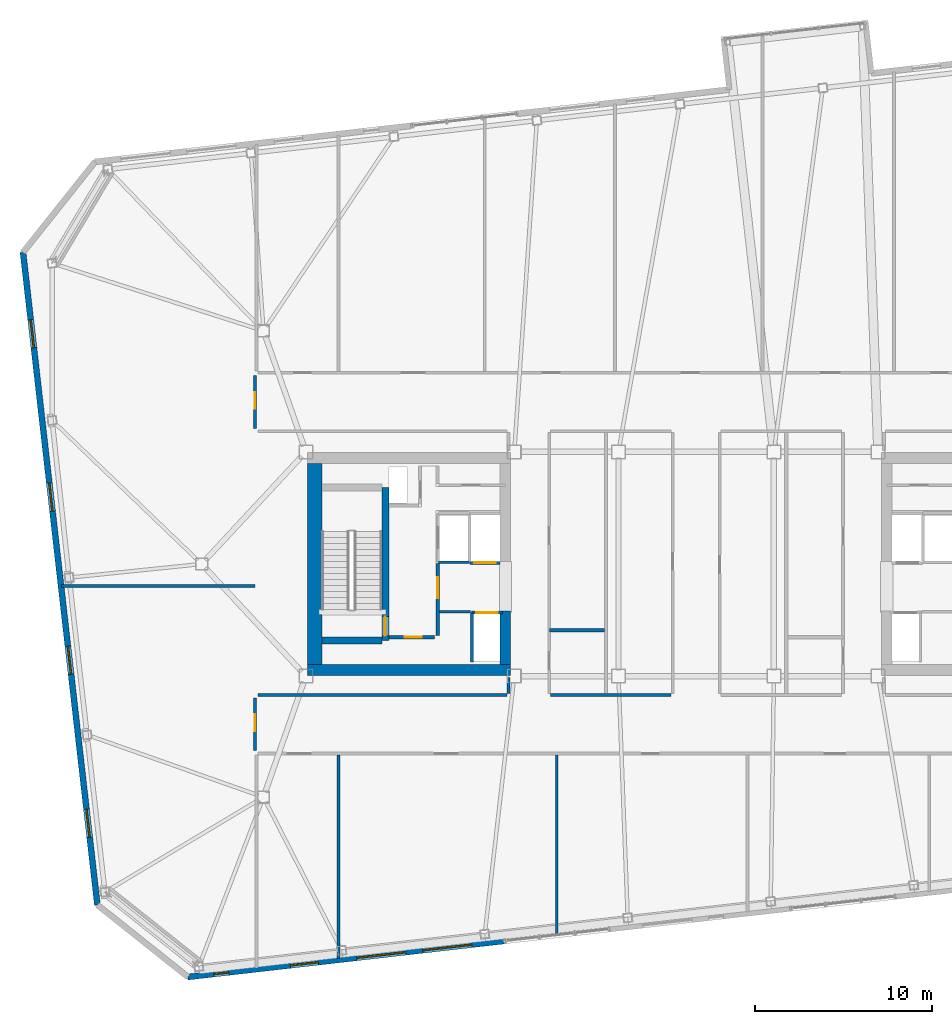
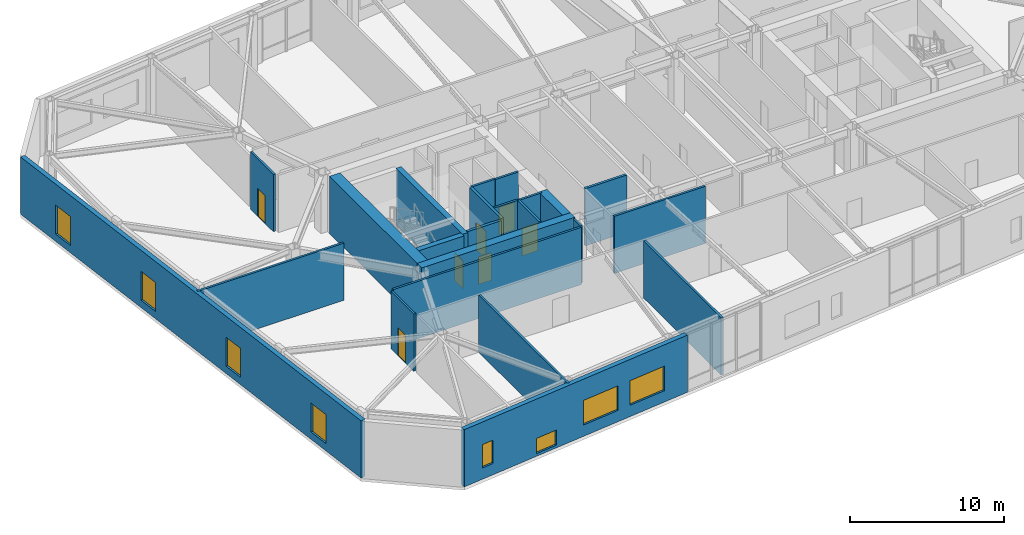
# One storey, part 14 of 21: 23 walls, 8 windows, 7 doors, 15 openings.
"""IFC4 building model written with IfcOpenShell, lengths in metres."""

from ifc_helpers import new_model, si_unit, direction, frame, frame_2d, origin, place, context, subcontext, project, spatial, rectangle, extrude, material, layer, layer_set, type_object, element, fill, save


model = new_model("IFC4")

# Units and contexts
model_context = context("Model", 3, precision=1e-05, world=origin(), true_north=direction((0.0, 1.0)))
body_context = subcontext(model_context, "Body", "Model", "MODEL_VIEW")
ifc_project = project(units=[si_unit("LENGTHUNIT", "METRE"), si_unit("AREAUNIT", "SQUARE_METRE"), si_unit("VOLUMEUNIT", "CUBIC_METRE"), si_unit("PLANEANGLEUNIT", "RADIAN"), si_unit("MASSUNIT", "GRAM", prefix="KILO")], contexts=[model_context])

# Site, building, storey
site_placement = place(None, origin())
site = spatial("IfcSite", under=ifc_project, at=site_placement, CompositionType="ELEMENT")
building_placement = place(site_placement, origin())
building = spatial("IfcBuilding", under=site, at=building_placement, Name="Tavrogorsk Clinical Tower", CompositionType="ELEMENT")
storey_placement = place(building_placement, frame((0.0, 0.0, 238.199951171875)))
storey = spatial("IfcBuildingStorey", under=building, at=storey_placement, Name="L55", CompositionType="ELEMENT", Elevation=238.199951171875)

# Wall, opening, door
ifc_material_1 = material(Name="Concrete B60", Category="concrete")
ifc_layer_1 = layer(ifc_material_1, 0.199951171875)
ifc_layer_set_1 = layer_set([ifc_layer_1], Name="Concrete B60")
wall_type_1 = type_object("IfcWallType", Name="CoreFireWall_200", PredefinedType="SOLIDWALL", material=ifc_layer_set_1)
wall_1_placement = place(storey_placement, frame((-17.3798828125, -4.139892578125, 0.0), z_axis=(0.0, 0.0, 1.0), x_axis=(1.0, 0.0, 0.0)))
wall_1 = element("IfcWall", 1, at=wall_1_placement, inside=storey, type_object=wall_type_1, Name="L55 Core West South Core Room Fire Wall", PredefinedType="SOLIDWALL", context=body_context, shape_type="SweptSolid", body=[
    extrude(rectangle(XDim=2.554931640625, YDim=0.199951171875, at=frame_2d((1.27734375, 0.0))), origin(), (0.0, 0.0, 1.0), 4.5400390625),
])
opening_1_placement = place(wall_1_placement, frame((0.8798828125, 0.0, 0.0)))
opening_1 = element("IfcOpeningElement", 2, at=opening_1_placement, cuts=wall_1, Name="Opening ID-02", PredefinedType="OPENING", context=body_context, shape_type="SweptSolid", body=[
    extrude(rectangle(XDim=0.949951171875, YDim=2.199951171875, at=frame_2d((0.47509765625, 1.10009765625))), frame((0.0, 0.10986328125, 0.0), z_axis=(0.0, -1.0, 0.0), x_axis=(1.0, 0.0, 0.0)), (0.0, 0.0, 1.0), 0.219970703125),
])
ifc_material_2 = material(Name="Laminated timber leaf on aluminium frame", Category="wood")
door_type_1 = type_object("IfcDoorType", Name="InteriorDoor_ID02_950", OperationType="NOTDEFINED", PredefinedType="DOOR", material=ifc_material_2)
door_1_placement = place(opening_1_placement, origin())
door_1 = element("IfcDoor", 3, at=door_1_placement, inside=storey, type_object=door_type_1, Name="L55 Core West South Core Room Door", OperationType="SINGLE_SWING_RIGHT", OverallHeight=2.199951171875, OverallWidth=0.949951171875, PredefinedType="DOOR", context=body_context, shape_type="SweptSolid", body=[
    extrude(rectangle(XDim=0.949951171875, YDim=2.199951171875, at=frame_2d((0.47509765625, 1.10009765625))), frame((0.0, 0.02490234375, 0.0), z_axis=(0.0, -1.0, 0.0), x_axis=(1.0, 0.0, 0.0)), (0.0, 0.0, 1.0), 0.050048828125),
])
fill(opening_1, door_1)

wall_2_placement = place(storey_placement, frame((-14.639892578125, -4.034912109375, 0.0), z_axis=(0.0, 0.0, 1.0), x_axis=(0.0, 1.0, 0.0)))
wall_2 = element("IfcWall", 4, at=wall_2_placement, inside=storey, type_object=wall_type_1, Name="L55 Core West Firefighting Lobby Fire Wall", PredefinedType="SOLIDWALL", context=body_context, shape_type="SweptSolid", body=[
    extrude(rectangle(XDim=4.074951171875, YDim=0.199951171875, at=frame_2d((2.03759765625, 0.0))), origin(), (0.0, 0.0, 1.0), 4.5400390625),
])
opening_2_placement = place(wall_2_placement, frame((2.090087890625, 0.0, 0.0)))
opening_2 = element("IfcOpeningElement", 5, at=opening_2_placement, cuts=wall_2, Name="Opening FD-01", PredefinedType="OPENING", context=body_context, shape_type="SweptSolid", body=[
    extrude(rectangle(XDim=1.199951171875, YDim=2.199951171875, at=frame_2d((0.60009765625, 1.10009765625))), frame((0.0, 0.10986328125, 0.0), z_axis=(0.0, -1.0, 0.0), x_axis=(1.0, 0.0, 0.0)), (0.0, 0.0, 1.0), 0.219970703125),
])
ifc_material_3 = material(Name="Galvanised steel fire-rated door assembly", Category="steel")
door_type_2 = type_object("IfcDoorType", Name="FireDoor_FD01_1200", OperationType="NOTDEFINED", PredefinedType="DOOR", material=ifc_material_3)
door_2_placement = place(opening_2_placement, origin())
door_2 = element("IfcDoor", 6, at=door_2_placement, inside=storey, type_object=door_type_2, Name="L55 Core West Firefighting Lobby Entry Door", OperationType="SINGLE_SWING_RIGHT", OverallHeight=2.199951171875, OverallWidth=1.199951171875, PredefinedType="DOOR", context=body_context, shape_type="SweptSolid", body=[
    extrude(rectangle(XDim=1.199951171875, YDim=2.199951171875, at=frame_2d((0.60009765625, 1.10009765625))), frame((0.0, 0.02490234375, 0.0), z_axis=(0.0, -1.0, 0.0), x_axis=(1.0, 0.0, 0.0)), (0.0, 0.0, 1.0), 0.050048828125),
])
fill(opening_2, door_2)

# Wall
ifc_material_4 = material(Name="Lightweight concrete blockwork B15", Category="masonry")
ifc_layer_2 = layer(ifc_material_4, 0.159912109375)
ifc_layer_set_2 = layer_set([ifc_layer_2], Name="Lightweight concrete blockwork B15")
wall_type_2 = type_object("IfcWallType", Name="PartitionWall_160", PredefinedType="PARTITIONING", material=ifc_layer_set_2)
wall_3_placement = place(storey_placement, frame((-14.534912109375, -2.699951171875, 0.0), z_axis=(0.0, 0.0, 1.0), x_axis=(1.0, 0.0, 0.0)))
element("IfcWall", 7, at=wall_3_placement, inside=storey, type_object=wall_type_2, Name="L55 Core West Freed Low-Bank North Partition", PredefinedType="PARTITIONING", context=body_context, shape_type="SweptSolid", body=[
    extrude(rectangle(XDim=1.760009765625, YDim=0.159912109375, at=frame_2d((0.8798828125, 0.0))), origin(), (0.0, 0.0, 1.0), 4.5400390625),
])

# Wall, opening, door
wall_4_placement = place(storey_placement, frame((-24.97998046875, -10.56494140625, 0.0), z_axis=(0.0, 0.0, 1.0), x_axis=(0.0, 1.0, 0.0)))
wall_4 = element("IfcWall", 8, at=wall_4_placement, inside=storey, type_object=wall_type_2, Name="L55 Corridor Partition 01", PredefinedType="PARTITIONING", context=body_context, shape_type="SweptSolid", body=[
    extrude(rectangle(XDim=2.97998046875, YDim=0.159912109375, at=frame_2d((1.489990234375, 0.0))), origin(), (0.0, 0.0, 1.0), 4.5400390625),
])
opening_3_placement = place(wall_4_placement, frame((1.10009765625, 0.0, 0.0)))
opening_3 = element("IfcOpeningElement", 9, at=opening_3_placement, cuts=wall_4, Name="Opening ID-02", PredefinedType="OPENING", context=body_context, shape_type="SweptSolid", body=[
    extrude(rectangle(XDim=0.949951171875, YDim=2.199951171875, at=frame_2d((0.47509765625, 1.10009765625))), frame((0.0, 0.08984375, 0.0), z_axis=(0.0, -1.0, 0.0), x_axis=(1.0, 0.0, 0.0)), (0.0, 0.0, 1.0), 0.179931640625),
])
door_3_placement = place(opening_3_placement, origin())
door_3 = element("IfcDoor", 10, at=door_3_placement, inside=storey, type_object=door_type_1, Name="L55 W Solarium Day Room & Lounge 1 Door", OperationType="SINGLE_SWING_LEFT", OverallHeight=2.199951171875, OverallWidth=0.949951171875, PredefinedType="DOOR", context=body_context, shape_type="SweptSolid", body=[
    extrude(rectangle(XDim=0.949951171875, YDim=2.199951171875, at=frame_2d((0.47509765625, 1.10009765625))), frame((0.0, 0.02490234375, 0.0), z_axis=(0.0, -1.0, 0.0), x_axis=(1.0, 0.0, 0.0)), (0.0, 0.0, 1.0), 0.050048828125),
])
fill(opening_3, door_3)

# Walls
wall_5_placement = place(storey_placement, frame((-24.81494140625, -7.419921875, 0.0), z_axis=(0.0, 0.0, 1.0), x_axis=(1.0, 0.0, 0.0)))
element("IfcWall", 11, at=wall_5_placement, inside=storey, type_object=wall_type_2, Name="L55 Corridor Partition 02", PredefinedType="PARTITIONING", context=body_context, shape_type="SweptSolid", body=[
    extrude(rectangle(XDim=14.099853515625, YDim=0.159912109375, at=frame_2d((7.0498046875, 0.0))), origin(), (0.0, 0.0, 1.0), 4.5400390625),
])
wall_6_placement = place(storey_placement, frame((-10.6298828125, -7.3349609375, 0.0), z_axis=(0.0, 0.0, 1.0), x_axis=(0.0, 1.0, 0.0)))
element("IfcWall", 12, at=wall_6_placement, inside=storey, type_object=wall_type_2, Name="L55 Corridor Partition 03", PredefinedType="PARTITIONING", context=body_context, shape_type="SweptSolid", body=[
    extrude(rectangle(XDim=0.9150390625, YDim=0.159912109375, at=frame_2d((0.45751953125, 0.0))), origin(), (0.0, 0.0, 1.0), 4.5400390625),
])

# Wall, opening, door
wall_7_placement = place(storey_placement, frame((-24.97998046875, 7.68505859375, 0.0), z_axis=(0.0, 0.0, 1.0), x_axis=(0.0, 1.0, 0.0)))
wall_7 = element("IfcWall", 13, at=wall_7_placement, inside=storey, type_object=wall_type_2, Name="L55 Corridor Partition 06", PredefinedType="PARTITIONING", context=body_context, shape_type="SweptSolid", body=[
    extrude(rectangle(XDim=2.97998046875, YDim=0.159912109375, at=frame_2d((1.489990234375, 0.0))), origin(), (0.0, 0.0, 1.0), 4.5400390625),
])
opening_4_placement = place(wall_7_placement, frame((1.10009765625, 0.0, 0.0)))
opening_4 = element("IfcOpeningElement", 14, at=opening_4_placement, cuts=wall_7, Name="Opening ID-02", PredefinedType="OPENING", context=body_context, shape_type="SweptSolid", body=[
    extrude(rectangle(XDim=0.949951171875, YDim=2.199951171875, at=frame_2d((0.47509765625, 1.10009765625))), frame((0.0, 0.08984375, 0.0), z_axis=(0.0, -1.0, 0.0), x_axis=(1.0, 0.0, 0.0)), (0.0, 0.0, 1.0), 0.179931640625),
])
door_4_placement = place(opening_4_placement, origin())
door_4 = element("IfcDoor", 15, at=door_4_placement, inside=storey, type_object=door_type_1, Name="L55 W Rehabilitation Therapy Suite 2 Door", OperationType="SINGLE_SWING_RIGHT", OverallHeight=2.199951171875, OverallWidth=0.949951171875, PredefinedType="DOOR", context=body_context, shape_type="SweptSolid", body=[
    extrude(rectangle(XDim=0.949951171875, YDim=2.199951171875, at=frame_2d((0.47509765625, 1.10009765625))), frame((0.0, 0.02490234375, 0.0), z_axis=(0.0, -1.0, 0.0), x_axis=(1.0, 0.0, 0.0)), (0.0, 0.0, 1.0), 0.050048828125),
])
fill(opening_4, door_4)

# Walls
wall_8_placement = place(storey_placement, frame((-8.235107421875, -7.419921875, 0.0), z_axis=(0.0, 0.0, 1.0), x_axis=(1.0, 0.0, 0.0)))
element("IfcWall", 16, at=wall_8_placement, inside=storey, type_object=wall_type_2, Name="L55 Corridor Partition 22", PredefinedType="PARTITIONING", context=body_context, shape_type="SweptSolid", body=[
    extrude(rectangle(XDim=6.820068359375, YDim=0.159912109375, at=frame_2d((3.41015625, 0.0))), origin(), (0.0, 0.0, 1.0), 4.5400390625),
])
wall_9_placement = place(storey_placement, frame((-20.25, -22.343505859375, 0.0), z_axis=(0.0, 0.0, 1.0), x_axis=(0.0, 1.0, 0.0)))
element("IfcWall", 17, at=wall_9_placement, inside=storey, type_object=wall_type_2, Name="L55 South Room Partition 1", PredefinedType="PARTITIONING", context=body_context, shape_type="SweptSolid", body=[
    extrude(rectangle(XDim=11.528564453125, YDim=0.159912109375, at=frame_2d((5.76416015625, 0.0))), origin(), (0.0, 0.0, 1.0), 4.5400390625),
])
wall_10_placement = place(storey_placement, frame((-7.89990234375, -20.9365234375, 0.0), z_axis=(0.0, 0.0, 1.0), x_axis=(0.0, 1.0, 0.0)))
element("IfcWall", 18, at=wall_10_placement, inside=storey, type_object=wall_type_2, Name="L55 South Room Partition 2", PredefinedType="PARTITIONING", context=body_context, shape_type="SweptSolid", body=[
    extrude(rectangle(XDim=10.12158203125, YDim=0.159912109375, at=frame_2d((5.060791015625, 0.0))), origin(), (0.0, 0.0, 1.0), 4.5400390625),
])
wall_11_placement = place(storey_placement, frame((-35.944580078125, -1.25, 0.0), z_axis=(0.0, 0.0, 1.0), x_axis=(1.0, 0.0, 0.0)))
element("IfcWall", 19, at=wall_11_placement, inside=storey, type_object=wall_type_2, Name="L55 W Wing Divider 1", PredefinedType="PARTITIONING", context=body_context, shape_type="SweptSolid", body=[
    extrude(rectangle(XDim=10.964599609375, YDim=0.159912109375, at=frame_2d((5.482421875, 0.0))), origin(), (0.0, 0.0, 1.0), 4.5400390625),
])
ifc_material_5 = material(Name="Lightweight concrete blockwork B20", Category="masonry")
ifc_layer_3 = layer(ifc_material_5, 0.179931640625)
ifc_layer_set_3 = layer_set([ifc_layer_3], Name="Lightweight concrete blockwork B20")
wall_type_3 = type_object("IfcWallType", Name="PartitionWall_180", PredefinedType="PARTITIONING", material=ifc_layer_set_3)
wall_12_placement = place(storey_placement, frame((-8.31494140625, -3.75, 0.0), z_axis=(0.0, 0.0, 1.0), x_axis=(1.0, 0.0, 0.0)))
element("IfcWall", 20, at=wall_12_placement, inside=storey, type_object=wall_type_3, Name="L55 Central Spine Partition 3", PredefinedType="PARTITIONING", context=body_context, shape_type="SweptSolid", body=[
    extrude(rectangle(XDim=3.119873046875, YDim=0.179931640625, at=frame_2d((1.56005859375, 0.0))), origin(), (0.0, 0.0, 1.0), 4.5400390625),
])

# Wall, openings, windows
ifc_material_6 = material(Name="Precast concrete B45 with limestone cladding", Category="masonry")
ifc_layer_4 = layer(ifc_material_6, 0.340087890625)
ifc_layer_set_4 = layer_set([ifc_layer_4], Name="Precast concrete B45 with limestone cladding")
wall_type_4 = type_object("IfcWallType", Name="PrecastLimestoneWall_340", PredefinedType="STANDARD", material=ifc_layer_set_4)
wall_13_placement = place(storey_placement, frame((-28.78271484375, -23.38623046875, 0.0), z_axis=(0.0, 0.0, 1.0), x_axis=(0.993571855431, 0.113203215925, 0.0)))
wall_13 = element("IfcWall", 21, at=wall_13_placement, inside=storey, type_object=wall_type_4, Name="L55 S Limestone Facade Wall 1", PredefinedType="STANDARD", context=body_context, shape_type="SweptSolid", body=[
    extrude(rectangle(XDim=18.027587890625, YDim=0.340087890625, at=frame_2d((9.013671875, 0.0))), origin(), (0.0, 0.0, 1.0), 4.5400390625),
])
opening_5_placement = place(wall_13_placement, frame((1.47998046875, 0.0, 0.89990234375)))
opening_5 = element("IfcOpeningElement", 22, at=opening_5_placement, cuts=wall_13, Name="Opening WN-06", PredefinedType="OPENING", context=body_context, shape_type="SweptSolid", body=[
    extrude(rectangle(XDim=0.85009765625, YDim=1.85009765625, at=frame_2d((0.425048828125, 0.925048828125))), frame((0.0, 0.179931640625, 0.0), z_axis=(0.0, -1.0, 0.0), x_axis=(1.0, 0.0, 0.0)), (0.0, 0.0, 1.0), 0.360107421875),
])
opening_6_placement = place(wall_13_placement, frame((5.82861328125, 0.0, 0.219970703125)))
opening_6 = element("IfcOpeningElement", 23, at=opening_6_placement, cuts=wall_13, Name="Opening WN-09", PredefinedType="OPENING", context=body_context, shape_type="SweptSolid", body=[
    extrude(rectangle(XDim=1.60009765625, YDim=1.199951171875, at=frame_2d((0.800048828125, 0.60009765625))), frame((0.0, 0.179931640625, 0.0), z_axis=(0.0, -1.0, 0.0), x_axis=(1.0, 0.0, 0.0)), (0.0, 0.0, 1.0), 0.360107421875),
])
opening_7_placement = place(wall_13_placement, frame((9.628662109375, 0.0, 0.89990234375)))
opening_7 = element("IfcOpeningElement", 24, at=opening_7_placement, cuts=wall_13, Name="Opening WN-14", PredefinedType="OPENING", context=body_context, shape_type="SweptSolid", body=[
    extrude(rectangle(XDim=2.800048828125, YDim=1.949951171875, at=frame_2d((1.39990234375, 0.97509765625))), frame((0.0, 0.179931640625, 0.0), z_axis=(0.0, -1.0, 0.0), x_axis=(1.0, 0.0, 0.0)), (0.0, 0.0, 1.0), 0.360107421875),
])
opening_8_placement = place(wall_13_placement, frame((13.376953125, 0.0, 0.89990234375)))
opening_8 = element("IfcOpeningElement", 25, at=opening_8_placement, cuts=wall_13, Name="Opening WN-14", PredefinedType="OPENING", context=body_context, shape_type="SweptSolid", body=[
    extrude(rectangle(XDim=2.800048828125, YDim=1.949951171875, at=frame_2d((1.39990234375, 0.97509765625))), frame((0.0, 0.179931640625, 0.0), z_axis=(0.0, -1.0, 0.0), x_axis=(1.0, 0.0, 0.0)), (0.0, 0.0, 1.0), 0.360107421875),
])
ifc_material_7 = material(Name="Thermally broken aluminium frame and triple IGU", Category="aluminium")
window_type_1 = type_object("IfcWindowType", Name="LowHeadTransWin_1600x1200", PartitioningType="DOUBLE_PANEL_VERTICAL", PredefinedType="WINDOW", material=ifc_material_7)
window_1_placement = place(opening_6_placement, origin())
window_1 = element("IfcWindow", 26, at=window_1_placement, inside=storey, type_object=window_type_1, Name="L55 S Chicago Window 02", OverallHeight=1.199951171875, OverallWidth=1.60009765625, PartitioningType="SINGLE_PANEL", PredefinedType="WINDOW", context=body_context, shape_type="SweptSolid", body=[
    extrude(rectangle(XDim=1.60009765625, YDim=1.199951171875, at=frame_2d((0.800048828125, 0.60009765625))), frame((0.0, 0.030029296875, 0.0), z_axis=(0.0, -1.0, 0.0), x_axis=(1.0, 0.0, 0.0)), (0.0, 0.0, 1.0), 0.06005859375),
])
fill(opening_6, window_1)
ifc_material_8 = material(Name="Thermally broken aluminium frame and triple IGU", Category="aluminium")
window_type_2 = type_object("IfcWindowType", Name="MullionSubWin_850x1850", PartitioningType="SINGLE_PANEL", PredefinedType="WINDOW", material=ifc_material_8)
window_2_placement = place(opening_5_placement, origin())
window_2 = element("IfcWindow", 27, at=window_2_placement, inside=storey, type_object=window_type_2, Name="L55 S Mullion Split Window 01A", OverallHeight=1.85009765625, OverallWidth=0.85009765625, PartitioningType="SINGLE_PANEL", PredefinedType="WINDOW", context=body_context, shape_type="SweptSolid", body=[
    extrude(rectangle(XDim=0.85009765625, YDim=1.85009765625, at=frame_2d((0.425048828125, 0.925048828125))), frame((0.0, 0.030029296875, 0.0), z_axis=(0.0, -1.0, 0.0), x_axis=(1.0, 0.0, 0.0)), (0.0, 0.0, 1.0), 0.06005859375),
])
fill(opening_5, window_2)
ifc_material_9 = material(Name="Thermally broken aluminium frame and triple IGU", Category="aluminium")
window_type_3 = type_object("IfcWindowType", Name="SeminarWin_2800x1950", PartitioningType="TRIPLE_PANEL_HORIZONTAL", PredefinedType="WINDOW", material=ifc_material_9)
window_3_placement = place(opening_7_placement, origin())
window_3 = element("IfcWindow", 28, at=window_3_placement, inside=storey, type_object=window_type_3, Name="L55 S Chicago Window 03", OverallHeight=1.949951171875, OverallWidth=2.800048828125, PartitioningType="SINGLE_PANEL", PredefinedType="WINDOW", context=body_context, shape_type="SweptSolid", body=[
    extrude(rectangle(XDim=2.800048828125, YDim=1.949951171875, at=frame_2d((1.39990234375, 0.97509765625))), frame((0.0, 0.030029296875, 0.0), z_axis=(0.0, -1.0, 0.0), x_axis=(1.0, 0.0, 0.0)), (0.0, 0.0, 1.0), 0.06005859375),
])
fill(opening_7, window_3)
window_4_placement = place(opening_8_placement, origin())
window_4 = element("IfcWindow", 29, at=window_4_placement, inside=storey, type_object=window_type_3, Name="L55 S Chicago Window 04", OverallHeight=1.949951171875, OverallWidth=2.800048828125, PartitioningType="SINGLE_PANEL", PredefinedType="WINDOW", context=body_context, shape_type="SweptSolid", body=[
    extrude(rectangle(XDim=2.800048828125, YDim=1.949951171875, at=frame_2d((1.39990234375, 0.97509765625))), frame((0.0, 0.030029296875, 0.0), z_axis=(0.0, -1.0, 0.0), x_axis=(1.0, 0.0, 0.0)), (0.0, 0.0, 1.0), 0.06005859375),
])
fill(opening_8, window_4)

wall_14_placement = place(storey_placement, frame((-38.1181640625, 17.65087890625, 0.0), z_axis=(0.0, 0.0, 1.0), x_axis=(0.11320360501, -0.9935718111, 0.0)))
wall_14 = element("IfcWall", 30, at=wall_14_placement, inside=storey, type_object=wall_type_4, Name="L55 W Pleated Limestone Wing Wall", PredefinedType="STANDARD", context=body_context, shape_type="SweptSolid", body=[
    extrude(rectangle(XDim=37.199951171875, YDim=0.340087890625, at=frame_2d((18.60009765625, 0.0))), origin(), (0.0, 0.0, 1.0), 4.5400390625),
])
opening_9_placement = place(wall_14_placement, frame((3.85009765625, 0.0, 0.580078125)))
opening_9 = element("IfcOpeningElement", 31, at=opening_9_placement, cuts=wall_14, Name="Opening WN-07", PredefinedType="OPENING", context=body_context, shape_type="SweptSolid", body=[
    extrude(rectangle(XDim=1.60009765625, YDim=2.300048828125, at=frame_2d((0.800048828125, 1.14990234375))), frame((0.0, 0.179931640625, 0.0), z_axis=(0.0, -1.0, 0.0), x_axis=(1.0, 0.0, 0.0)), (0.0, 0.0, 1.0), 0.360107421875),
])
opening_10_placement = place(wall_14_placement, frame((13.14990234375, 0.0, 0.580078125)))
opening_10 = element("IfcOpeningElement", 32, at=opening_10_placement, cuts=wall_14, Name="Opening WN-07", PredefinedType="OPENING", context=body_context, shape_type="SweptSolid", body=[
    extrude(rectangle(XDim=1.60009765625, YDim=2.300048828125, at=frame_2d((0.800048828125, 1.14990234375))), frame((0.0, 0.179931640625, 0.0), z_axis=(0.0, -1.0, 0.0), x_axis=(1.0, 0.0, 0.0)), (0.0, 0.0, 1.0), 0.360107421875),
])
opening_11_placement = place(wall_14_placement, frame((22.449951171875, 0.0, 0.580078125)))
opening_11 = element("IfcOpeningElement", 33, at=opening_11_placement, cuts=wall_14, Name="Opening WN-07", PredefinedType="OPENING", context=body_context, shape_type="SweptSolid", body=[
    extrude(rectangle(XDim=1.60009765625, YDim=2.300048828125, at=frame_2d((0.800048828125, 1.14990234375))), frame((0.0, 0.179931640625, 0.0), z_axis=(0.0, -1.0, 0.0), x_axis=(1.0, 0.0, 0.0)), (0.0, 0.0, 1.0), 0.360107421875),
])
opening_12_placement = place(wall_14_placement, frame((31.75, 0.0, 0.580078125)))
opening_12 = element("IfcOpeningElement", 34, at=opening_12_placement, cuts=wall_14, Name="Opening WN-07", PredefinedType="OPENING", context=body_context, shape_type="SweptSolid", body=[
    extrude(rectangle(XDim=1.60009765625, YDim=2.300048828125, at=frame_2d((0.800048828125, 1.14990234375))), frame((0.0, 0.179931640625, 0.0), z_axis=(0.0, -1.0, 0.0), x_axis=(1.0, 0.0, 0.0)), (0.0, 0.0, 1.0), 0.360107421875),
])
ifc_material_10 = material(Name="Thermally broken aluminium frame and triple IGU", Category="aluminium")
window_type_4 = type_object("IfcWindowType", Name="PleatSlotWin_1600x2300", PartitioningType="SINGLE_PANEL", PredefinedType="WINDOW", material=ifc_material_10)
window_5_placement = place(opening_9_placement, origin())
window_5 = element("IfcWindow", 35, at=window_5_placement, inside=storey, type_object=window_type_4, Name="L55 W Pleat Slot Window 1", OverallHeight=2.300048828125, OverallWidth=1.60009765625, PartitioningType="SINGLE_PANEL", PredefinedType="WINDOW", context=body_context, shape_type="SweptSolid", body=[
    extrude(rectangle(XDim=1.60009765625, YDim=2.300048828125, at=frame_2d((0.800048828125, 1.14990234375))), frame((0.0, 0.030029296875, 0.0), z_axis=(0.0, -1.0, 0.0), x_axis=(1.0, 0.0, 0.0)), (0.0, 0.0, 1.0), 0.06005859375),
])
fill(opening_9, window_5)
window_6_placement = place(opening_10_placement, origin())
window_6 = element("IfcWindow", 36, at=window_6_placement, inside=storey, type_object=window_type_4, Name="L55 W Pleat Slot Window 2", OverallHeight=2.300048828125, OverallWidth=1.60009765625, PartitioningType="SINGLE_PANEL", PredefinedType="WINDOW", context=body_context, shape_type="SweptSolid", body=[
    extrude(rectangle(XDim=1.60009765625, YDim=2.300048828125, at=frame_2d((0.800048828125, 1.14990234375))), frame((0.0, 0.030029296875, 0.0), z_axis=(0.0, -1.0, 0.0), x_axis=(1.0, 0.0, 0.0)), (0.0, 0.0, 1.0), 0.06005859375),
])
fill(opening_10, window_6)
window_7_placement = place(opening_11_placement, origin())
window_7 = element("IfcWindow", 37, at=window_7_placement, inside=storey, type_object=window_type_4, Name="L55 W Pleat Slot Window 3", OverallHeight=2.300048828125, OverallWidth=1.60009765625, PartitioningType="SINGLE_PANEL", PredefinedType="WINDOW", context=body_context, shape_type="SweptSolid", body=[
    extrude(rectangle(XDim=1.60009765625, YDim=2.300048828125, at=frame_2d((0.800048828125, 1.14990234375))), frame((0.0, 0.030029296875, 0.0), z_axis=(0.0, -1.0, 0.0), x_axis=(1.0, 0.0, 0.0)), (0.0, 0.0, 1.0), 0.06005859375),
])
fill(opening_11, window_7)
window_8_placement = place(opening_12_placement, origin())
window_8 = element("IfcWindow", 38, at=window_8_placement, inside=storey, type_object=window_type_4, Name="L55 W Pleat Slot Window 4", OverallHeight=2.300048828125, OverallWidth=1.60009765625, PartitioningType="SINGLE_PANEL", PredefinedType="WINDOW", context=body_context, shape_type="SweptSolid", body=[
    extrude(rectangle(XDim=1.60009765625, YDim=2.300048828125, at=frame_2d((0.800048828125, 1.14990234375))), frame((0.0, 0.030029296875, 0.0), z_axis=(0.0, -1.0, 0.0), x_axis=(1.0, 0.0, 0.0)), (0.0, 0.0, 1.0), 0.06005859375),
])
fill(opening_12, window_8)

# Wall
ifc_material_11 = material(Name="Lightweight concrete blockwork B25", Category="masonry")
ifc_layer_5 = layer(ifc_material_11, 0.159912109375)
ifc_layer_set_5 = layer_set([ifc_layer_5], Name="Lightweight concrete blockwork B25")
wall_type_5 = type_object("IfcWallType", Name="ShaftWall_160", PredefinedType="PARTITIONING", material=ifc_layer_set_5)
wall_15_placement = place(storey_placement, frame((-14.60009765625, 0.10009765625, 0.0), z_axis=(0.0, 0.0, 1.0), x_axis=(1.0, 0.0, 0.0)))
element("IfcWall", 39, at=wall_15_placement, inside=storey, type_object=wall_type_5, Name="L55 FFL-W Shaft South Wall", PredefinedType="PARTITIONING", context=body_context, shape_type="SweptSolid", body=[
    extrude(rectangle(XDim=1.760009765625, YDim=0.159912109375, at=frame_2d((0.8798828125, 0.0))), origin(), (0.0, 0.0, 1.0), 4.5400390625),
])

# Wall, opening, door
wall_16_placement = place(storey_placement, frame((-12.72998046875, -2.75, 0.0), z_axis=(0.0, 0.0, 1.0), x_axis=(1.0, 0.0, 0.0)))
wall_16 = element("IfcWall", 40, at=wall_16_placement, inside=storey, type_object=wall_type_5, Name="L55 LP-M1 Lift Shaft Portal Wall", PredefinedType="PARTITIONING", context=body_context, shape_type="SweptSolid", body=[
    extrude(rectangle(XDim=1.760009765625, YDim=0.159912109375, at=frame_2d((0.8798828125, 0.0))), origin(), (0.0, 0.0, 1.0), 4.5400390625),
])
opening_13_placement = place(wall_16_placement, frame((0.280029296875, 0.0, 0.0)))
opening_13 = element("IfcOpeningElement", 41, at=opening_13_placement, cuts=wall_16, Name="Opening LD", PredefinedType="OPENING", context=body_context, shape_type="SweptSolid", body=[
    extrude(rectangle(XDim=1.199951171875, YDim=2.199951171875, at=frame_2d((0.60009765625, 1.10009765625))), frame((0.0, 0.08984375, 0.0), z_axis=(0.0, -1.0, 0.0), x_axis=(1.0, 0.0, 0.0)), (0.0, 0.0, 1.0), 0.179931640625),
])
ifc_material_12 = material(Name="Brushed stainless steel AISI 304 sliding doors", Category="steel")
door_type_3 = type_object("IfcDoorType", Name="LiftLandingDoor_LD_1200", OperationType="SLIDING_TO_LEFT", PredefinedType="DOOR", material=ifc_material_12)
door_5_placement = place(opening_13_placement, origin())
door_5 = element("IfcDoor", 42, at=door_5_placement, inside=storey, type_object=door_type_3, Name="L55 LP-M1 Sliding Lift Landing Door", OperationType="SLIDING_TO_LEFT", OverallHeight=2.199951171875, OverallWidth=1.199951171875, PredefinedType="DOOR", context=body_context, shape_type="SweptSolid", body=[
    extrude(rectangle(XDim=1.199951171875, YDim=2.199951171875, at=frame_2d((0.60009765625, 1.10009765625))), frame((0.0, 0.02490234375, 0.0), z_axis=(0.0, -1.0, 0.0), x_axis=(1.0, 0.0, 0.0)), (0.0, 0.0, 1.0), 0.050048828125),
])
fill(opening_13, door_5)

wall_17_placement = place(storey_placement, frame((-12.820068359375, 0.06005859375, 0.0), z_axis=(0.0, 0.0, 1.0), x_axis=(1.0, 0.0, 0.0)))
wall_17 = element("IfcWall", 43, at=wall_17_placement, inside=storey, type_object=wall_type_5, Name="L55 LP-H1 High-Zone Lift Portal Wall", PredefinedType="PARTITIONING", context=body_context, shape_type="SweptSolid", body=[
    extrude(rectangle(XDim=1.719970703125, YDim=0.159912109375, at=frame_2d((0.85986328125, 0.0))), origin(), (0.0, 0.0, 1.0), 4.5400390625),
])
opening_14_placement = place(wall_17_placement, frame((0.260009765625, 0.0, 0.0)))
opening_14 = element("IfcOpeningElement", 44, at=opening_14_placement, cuts=wall_17, Name="Opening LD", PredefinedType="OPENING", context=body_context, shape_type="SweptSolid", body=[
    extrude(rectangle(XDim=1.199951171875, YDim=2.199951171875, at=frame_2d((0.60009765625, 1.10009765625))), frame((0.0, 0.08984375, 0.0), z_axis=(0.0, -1.0, 0.0), x_axis=(1.0, 0.0, 0.0)), (0.0, 0.0, 1.0), 0.179931640625),
])
door_6_placement = place(opening_14_placement, origin())
door_6 = element("IfcDoor", 45, at=door_6_placement, inside=storey, type_object=door_type_3, Name="L55 LP-H1 Sliding Lift Landing Door", OperationType="SLIDING_TO_LEFT", OverallHeight=2.199951171875, OverallWidth=1.199951171875, PredefinedType="DOOR", context=body_context, shape_type="SweptSolid", body=[
    extrude(rectangle(XDim=1.199951171875, YDim=2.199951171875, at=frame_2d((0.60009765625, 1.10009765625))), frame((0.0, 0.02490234375, 0.0), z_axis=(0.0, -1.0, 0.0), x_axis=(1.0, 0.0, 0.0)), (0.0, 0.0, 1.0), 0.050048828125),
])
fill(opening_14, door_6)

# Wall
wall_18_placement = place(storey_placement, frame((-12.68994140625, -5.56005859375, 0.0), z_axis=(0.0, 0.0, 1.0), x_axis=(0.0, 1.0, 0.0)))
element("IfcWall", 46, at=wall_18_placement, inside=storey, type_object=wall_type_5, Name="L55 Core West Freed Low-Bank Shaft Divider", PredefinedType="PARTITIONING", context=body_context, shape_type="SweptSolid", body=[
    extrude(rectangle(XDim=2.775146484375, YDim=0.159912109375, at=frame_2d((1.3876953125, 0.0))), origin(), (0.0, 0.0, 1.0), 4.5400390625),
])

# Wall, opening, door
ifc_material_13 = material(Name="Concrete B80", Category="concrete")
ifc_layer_6 = layer(ifc_material_13, 0.39990234375)
ifc_layer_set_6 = layer_set([ifc_layer_6], Name="Concrete B80")
wall_type_6 = type_object("IfcWallType", Name="ShearWall_400", PredefinedType="SHEAR", material=ifc_layer_set_6)
wall_19_placement = place(storey_placement, frame((-17.60009765625, -4.324951171875, 0.0), z_axis=(0.0, 0.0, 1.0), x_axis=(0.0, 1.0, 0.0)))
wall_19 = element("IfcWall", 47, at=wall_19_placement, inside=storey, type_object=wall_type_6, Name="L55 Core West Stair Shaft Inner Shear Wall", PredefinedType="SHEAR", context=body_context, shape_type="SweptSolid", body=[
    extrude(rectangle(XDim=8.64990234375, YDim=0.39990234375, at=frame_2d((4.324951171875, 0.0))), origin(), (0.0, 0.0, 1.0), 4.5400390625),
])
opening_15_placement = place(wall_19_placement, frame((0.25, 0.0, 0.0)))
opening_15 = element("IfcOpeningElement", 48, at=opening_15_placement, cuts=wall_19, Name="Opening SD-01", PredefinedType="OPENING", context=body_context, shape_type="SweptSolid", body=[
    extrude(rectangle(XDim=1.10009765625, YDim=2.199951171875, at=frame_2d((0.550048828125, 1.10009765625))), frame((0.0, 0.2099609375, 0.0), z_axis=(0.0, -1.0, 0.0), x_axis=(1.0, 0.0, 0.0)), (0.0, 0.0, 1.0), 0.419921875),
])
ifc_material_14 = material(Name="Galvanised steel smoke-tight fire door assembly", Category="steel")
door_type_4 = type_object("IfcDoorType", Name="StairFireDoor_SD01_1100", OperationType="NOTDEFINED", PredefinedType="DOOR", material=ifc_material_14)
door_7_placement = place(opening_15_placement, origin())
door_7 = element("IfcDoor", 49, at=door_7_placement, inside=storey, type_object=door_type_4, Name="L55 ST-W Exit Stair Door", OperationType="SINGLE_SWING_RIGHT", OverallHeight=2.199951171875, OverallWidth=1.10009765625, PredefinedType="DOOR", context=body_context, shape_type="SweptSolid", body=[
    extrude(rectangle(XDim=1.10009765625, YDim=2.199951171875, at=frame_2d((0.550048828125, 1.10009765625))), frame((0.0, 0.02490234375, 0.0), z_axis=(0.0, -1.0, 0.0), x_axis=(1.0, 0.0, 0.0)), (0.0, 0.0, 1.0), 0.050048828125),
])
fill(opening_15, door_7)

# Walls
wall_20_placement = place(storey_placement, frame((-21.199951171875, -4.324951171875, 0.0), z_axis=(0.0, 0.0, 1.0), x_axis=(1.0, 0.0, 0.0)))
element("IfcWall", 50, at=wall_20_placement, inside=storey, type_object=wall_type_6, Name="L55 Core West Stair Shaft South Shear Wall", PredefinedType="SHEAR", context=body_context, shape_type="SweptSolid", body=[
    extrude(rectangle(XDim=3.39990234375, YDim=0.39990234375, at=frame_2d((1.699951171875, 0.0))), origin(), (0.0, 0.0, 1.0), 4.5400390625),
])
ifc_material_15 = material(Name="Concrete B80", Category="concrete")
ifc_layer_7 = layer(ifc_material_15, 0.60009765625)
ifc_layer_set_7 = layer_set([ifc_layer_7], Name="Concrete B80")
wall_type_7 = type_object("IfcWallType", Name="ShearWall_600", PredefinedType="SHEAR", material=ifc_layer_set_7)
wall_21_placement = place(storey_placement, frame((-22.0, -6.0, 0.0), z_axis=(0.0, 0.0, 1.0), x_axis=(1.0, 0.0, 0.0)))
element("IfcWall", 51, at=wall_21_placement, inside=storey, type_object=wall_type_7, Name="L55 Core West South Shear Wall", PredefinedType="SHEAR", context=body_context, shape_type="SweptSolid", body=[
    extrude(rectangle(XDim=11.5, YDim=0.60009765625, at=frame_2d((5.75, 0.0))), origin(), (0.0, 0.0, 1.0), 4.5400390625),
])
wall_22_placement = place(storey_placement, frame((-10.800048828125, -5.699951171875, 0.0), z_axis=(0.0, 0.0, 1.0), x_axis=(0.0, 1.0, 0.0)))
element("IfcWall", 52, at=wall_22_placement, inside=storey, type_object=wall_type_7, Name="L55 Core West Inner South Pier", PredefinedType="SHEAR", context=body_context, shape_type="SweptSolid", body=[
    extrude(rectangle(XDim=3.050048828125, YDim=0.60009765625, at=frame_2d((1.52490234375, 0.0))), origin(), (0.0, 0.0, 1.0), 4.5400390625),
])
ifc_material_16 = material(Name="Concrete B80", Category="concrete")
ifc_layer_8 = layer(ifc_material_16, 0.800048828125)
ifc_layer_set_8 = layer_set([ifc_layer_8], Name="Concrete B80")
wall_type_8 = type_object("IfcWallType", Name="ShearWall_800", PredefinedType="SHEAR", material=ifc_layer_set_8)
wall_23_placement = place(storey_placement, frame((-21.60009765625, -5.699951171875, 0.0), z_axis=(0.0, 0.0, 1.0), x_axis=(0.0, 1.0, 0.0)))
element("IfcWall", 53, at=wall_23_placement, inside=storey, type_object=wall_type_8, Name="L55 Core West End Shear Wall", PredefinedType="SHEAR", context=body_context, shape_type="SweptSolid", body=[
    extrude(rectangle(XDim=11.39990234375, YDim=0.800048828125, at=frame_2d((5.699951171875, 0.0))), origin(), (0.0, 0.0, 1.0), 4.5400390625),
])

save(model, "model.ifc")
